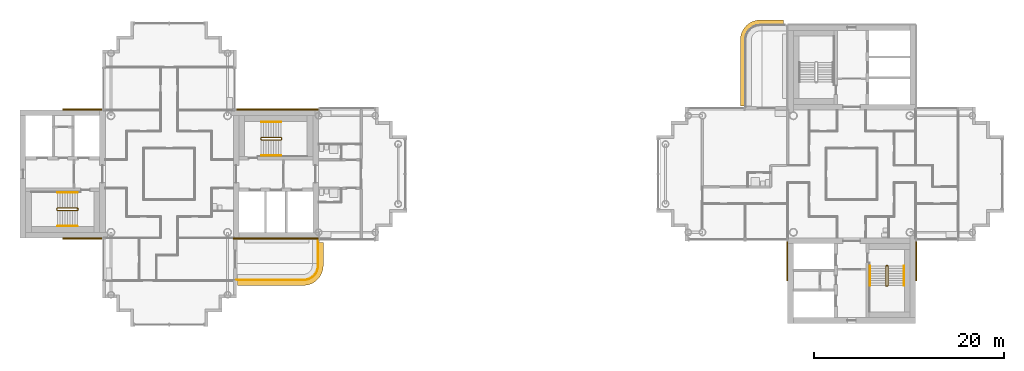
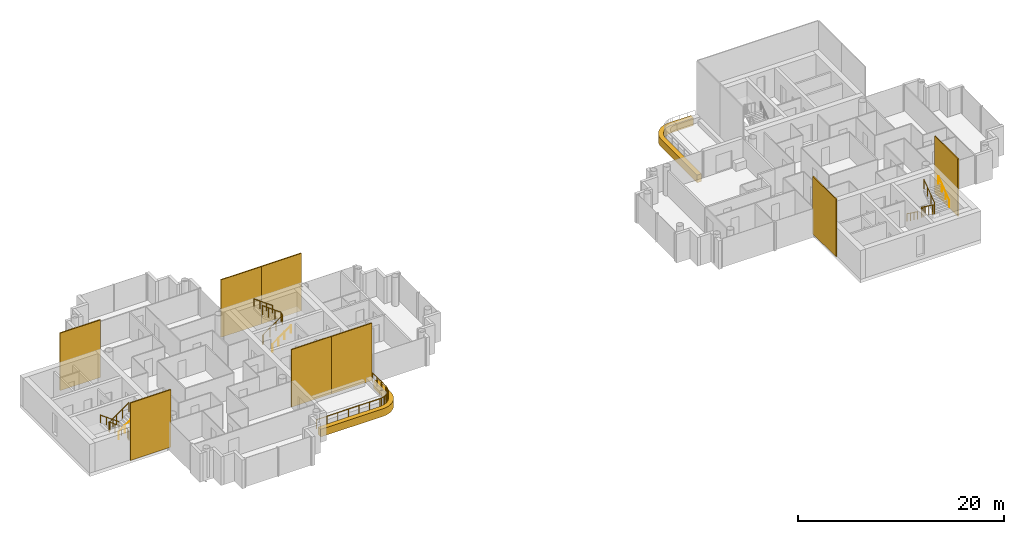
# One storey, part 16 of 18: 10 coverings, 10 railings.
"""IFC4 building model written with IfcOpenShell, lengths in metres."""

import ifcopenshell
import ifcopenshell.guid

model = None  # the IFC model being written
_history = None  # IfcOwnerHistory: only IFC2X3 demands one
_inside = {}  # id of a spatial element -> (the spatial element, [elements in it])
_under = {}  # id of a project, library or spatial element -> (it, [spatial elements below it])
_declared = {}  # id of a project -> (the project, [libraries it declares])
_typed = {}  # id of a type object -> (the type object, [elements of that type])
_made_of = {}  # id of a material, layer set ... -> (it, [elements and type objects made of it])


def new_model(schema):
    """Start an empty IFC model of exactly this schema.

    Asked for "IFC4X3", IfcOpenShell would pick the latest addendum, in which some entities
    have other attributes; the version numbers below select the first issue.
    IFC2X3 requires an IfcOwnerHistory on every rooted entity: one is made here for all.
    """
    global model, _history
    if schema == "IFC4X3":
        model = ifcopenshell.file(schema_version=(4, 3, 0, 0))
    else:
        model = ifcopenshell.file(schema=schema)
    _inside.clear()
    _under.clear()
    _declared.clear()
    _typed.clear()
    _made_of.clear()
    _history = None
    if model.schema == "IFC2X3":
        org = make("IfcOrganization", Name="unknown")
        user = make(
            "IfcPersonAndOrganization",
            ThePerson=make("IfcPerson", FamilyName="unknown"),
            TheOrganization=org,
        )
        app = make(
            "IfcApplication",
            ApplicationDeveloper=org,
            Version="unknown",
            ApplicationFullName="unknown",
            ApplicationIdentifier="unknown",
        )
        _history = make(
            "IfcOwnerHistory",
            OwningUser=user,
            OwningApplication=app,
            ChangeAction="ADDED",
            CreationDate=0,
        )
    return model


def make(cls, **values):
    """One entity of the class cls with the attributes given. An attribute that is None is left unset."""
    return model.create_entity(
        cls, **{name: value for name, value in values.items() if value is not None}
    )


def rooted(cls, **values):
    """An entity with a GlobalId (a new one), such as an element, a storey or a relation."""
    return make(cls, GlobalId=ifcopenshell.guid.new(), OwnerHistory=_history, **values)


def si_unit(unit_type, name, prefix=None):
    """IfcSIUnit, for example si_unit("LENGTHUNIT", "METRE", prefix="MILLI")."""
    return make("IfcSIUnit", UnitType=unit_type, Prefix=prefix, Name=name)


def assignment(units):
    """IfcUnitAssignment: the units of a project."""
    return None if units is None else make("IfcUnitAssignment", Units=units)


def point(xyz):
    """IfcCartesianPoint."""
    return None if xyz is None else make("IfcCartesianPoint", Coordinates=xyz)


def direction(xyz):
    """IfcDirection."""
    return None if xyz is None else make("IfcDirection", DirectionRatios=xyz)


def frame(location, z_axis=None, x_axis=None):
    """IfcAxis2Placement3D, a coordinate frame: its origin and axes. An axis left out is left unset."""
    return make(
        "IfcAxis2Placement3D",
        Location=point(location),
        Axis=direction(z_axis),
        RefDirection=direction(x_axis),
    )


def frame_2d(location, x_axis=None):
    """IfcAxis2Placement2D, a coordinate frame in the plane: its origin and x axis."""
    return make(
        "IfcAxis2Placement2D", Location=point(location), RefDirection=direction(x_axis)
    )


def origin():
    """The frame at (0, 0, 0) with its axes left unset."""
    return frame((0.0, 0.0, 0.0))


def origin_2d():
    """The frame at (0, 0) in the plane with its x axis left unset."""
    return frame_2d((0.0, 0.0))


def place(relative_to, where):
    """IfcLocalPlacement: puts the frame where relative to a parent placement (None: the world)."""
    return make(
        "IfcLocalPlacement", PlacementRelTo=relative_to, RelativePlacement=where
    )


def context(
    kind, dimensions, precision=None, world=None, true_north=None, identifier=None
):
    """IfcGeometricRepresentationContext, for example the 3D "Model" context."""
    return make(
        "IfcGeometricRepresentationContext",
        ContextIdentifier=identifier,
        ContextType=kind,
        CoordinateSpaceDimension=dimensions,
        Precision=precision,
        WorldCoordinateSystem=world,
        TrueNorth=true_north,
    )


def subcontext(parent, identifier, kind, view, scale=None):
    """IfcGeometricRepresentationSubContext, for example "Body" below "Model"."""
    return make(
        "IfcGeometricRepresentationSubContext",
        ContextIdentifier=identifier,
        ContextType=kind,
        ParentContext=parent,
        TargetScale=scale,
        TargetView=view,
    )


def project(units=None, contexts=None):
    """IfcProject with its units and contexts."""
    return rooted(
        "IfcProject",
        Name="project",
        RepresentationContexts=contexts,
        UnitsInContext=assignment(units),
    )


def spatial(cls, under=None, at=None, **own):
    """A site, building, storey or space (cls), placed at a placement, below another one or the project."""
    s = rooted(cls, ObjectPlacement=at, **own)
    if under is not None:
        _under.setdefault(under.id(), (under, []))[1].append(s)
    return s


def polyline(points):
    """IfcPolyline through the points."""
    return make("IfcPolyline", Points=[point(p) for p in points])


def profile(cls, at=None, kind="AREA", **sizes):
    """A parametric profile (cls). Its sizes go by their IFC names, for example OverallWidth=200.0."""
    return make(cls, ProfileType=kind, Position=at, **sizes)


def rectangle(**sizes):
    """IfcRectangleProfileDef."""
    return profile("IfcRectangleProfileDef", **sizes)


def circle(**sizes):
    """IfcCircleProfileDef."""
    return profile("IfcCircleProfileDef", **sizes)


def outline(outer, holes=None, kind="AREA"):
    """IfcArbitraryClosedProfileDef: a profile drawn as a closed curve; with holes, ...WithVoids."""
    if holes is None:
        return make("IfcArbitraryClosedProfileDef", ProfileType=kind, OuterCurve=outer)
    return make(
        "IfcArbitraryProfileDefWithVoids",
        ProfileType=kind,
        OuterCurve=outer,
        InnerCurves=holes,
    )


def extrude(swept, where, along, depth):
    """IfcExtrudedAreaSolid: the profile swept, set in the frame where, extruded along a direction by depth."""
    return make(
        "IfcExtrudedAreaSolid",
        SweptArea=swept,
        Position=where,
        ExtrudedDirection=direction(along),
        Depth=depth,
    )


def shape(context_of_items, identifier, shape_type, items):
    """IfcShapeRepresentation: the items that make up one representation, for example the "Body"."""
    return make(
        "IfcShapeRepresentation",
        ContextOfItems=context_of_items,
        RepresentationIdentifier=identifier,
        RepresentationType=shape_type,
        Items=items,
    )


def material(Name=None, Category=None):
    """IfcMaterial."""
    return make("IfcMaterial", Name=Name, Category=Category)


def layer(
    of_material, thickness, ventilated=None, Name=None, Category=None, Priority=None
):
    """IfcMaterialLayer: one layer of a wall or slab, of a material (None: an air gap)."""
    return make(
        "IfcMaterialLayer",
        Material=of_material,
        LayerThickness=thickness,
        IsVentilated=ventilated,
        Name=Name,
        Category=Category,
        Priority=Priority,
    )


def layer_set(layers, Name=None):
    """IfcMaterialLayerSet."""
    return make("IfcMaterialLayerSet", MaterialLayers=layers, LayerSetName=Name)


def made_of(thing, what):
    """Note that an element or type object is made of a material, layer set ...; save() writes the relation."""
    if what is not None:
        _made_of.setdefault(what.id(), (what, []))[1].append(thing)
    return thing


def type_object(cls, material=None, **own):
    """A type object (cls), such as IfcWallType, which elements share."""
    return made_of(rooted(cls, **own), material)


def element(
    cls,
    number,
    at=None,
    inside=None,
    cuts=None,
    type_object=None,
    material=None,
    context=None,
    identifier="Body",
    shape_type=None,
    held_by="IfcProductDefinitionShape",
    body=None,
    shapes=None,
    **own,
):
    """One element of the class cls, such as IfcWall. Its Tag is "e" and its number.

    at: its placement. inside: the storey or other place that contains it. cuts: it is an
    opening in that element (IfcRelVoidsElement). A single representation is given by context,
    identifier, shape_type and body (its items); several are given by shapes. held_by: the class
    of the entity that holds the representations. save() writes the other relations.
    """
    e = rooted(cls, Tag="e%d" % number, ObjectPlacement=at, **own)
    if body is not None:
        shapes = [shape(context, identifier, shape_type, body)]
    if shapes is not None:
        e.Representation = make(held_by, Representations=shapes)
    if inside is not None:
        _inside.setdefault(inside.id(), (inside, []))[1].append(e)
    if cuts is not None:
        rooted(
            "IfcRelVoidsElement", RelatingBuildingElement=cuts, RelatedOpeningElement=e
        )
    if type_object is not None:
        _typed.setdefault(type_object.id(), (type_object, []))[1].append(e)
    return made_of(e, material)


def aggregate(whole, parts):
    """IfcRelAggregates: a whole, such as a stair, and the parts it consists of."""
    return rooted("IfcRelAggregates", RelatingObject=whole, RelatedObjects=parts)


def save(model, path):
    """Write the relations noted so far, then the file.

    IfcRelAggregates (storeys below a building ...), IfcRelContainedInSpatialStructure (elements
    in a storey), IfcRelDefinesByType, IfcRelAssociatesMaterial and IfcRelDeclares: one each for
    every whole, place, type object, material and project.
    """
    for whole, parts in _under.values():
        aggregate(whole, parts)
    for where, things in _inside.values():
        rooted(
            "IfcRelContainedInSpatialStructure",
            RelatedElements=things,
            RelatingStructure=where,
        )
    for kind, things in _typed.values():
        rooted("IfcRelDefinesByType", RelatedObjects=things, RelatingType=kind)
    for what, things in _made_of.values():
        rooted("IfcRelAssociatesMaterial", RelatedObjects=things, RelatingMaterial=what)
    for by, libraries in _declared.values():
        rooted("IfcRelDeclares", RelatingContext=by, RelatedDefinitions=libraries)
    model.write(path)


model = new_model("IFC4")

# Units and contexts
model_context = context("Model", 3, precision=1e-05, world=origin(), true_north=direction((0.0, 1.0)))
body_context = subcontext(model_context, "Body", "Model", "MODEL_VIEW")
ifc_project = project(units=[si_unit("LENGTHUNIT", "METRE"), si_unit("AREAUNIT", "SQUARE_METRE"), si_unit("VOLUMEUNIT", "CUBIC_METRE"), si_unit("PLANEANGLEUNIT", "RADIAN"), si_unit("MASSUNIT", "GRAM", prefix="KILO")], contexts=[model_context])

# Site, building, storey
site_placement = place(None, origin())
site = spatial("IfcSite", under=ifc_project, at=site_placement, CompositionType="ELEMENT")
building_placement = place(site_placement, origin())
building = spatial("IfcBuilding", under=site, at=building_placement, Name="Ipe Terrace Towers", CompositionType="ELEMENT")
storey_placement = place(building_placement, frame((0.0, 0.0, 226.60009765625)))
storey = spatial("IfcBuildingStorey", under=building, at=storey_placement, Name="L63", CompositionType="ELEMENT", Elevation=226.60009765625)

# Railing
ifc_material_1 = material(Name="Stainless steel S316", Category="steel")
railing_type_1 = type_object("IfcRailingType", Name="GUARD 1100", PredefinedType="BALUSTRADE", material=ifc_material_1)
railing_1_placement = place(storey_placement, frame((-28.929931640625, -11.199951171875, -0.02001953125)))
element("IfcRailing", 1, at=railing_1_placement, inside=storey, type_object=railing_type_1, Name="guard", PredefinedType="BALUSTRADE", context=body_context, shape_type="SweptSolid", body=[
    extrude(circle(Radius=0.02392578125, at=origin_2d()), frame((0.0, 0.0, 1.076171875), z_axis=(1.0, 0.0, 0.0), x_axis=(0.0, 1.0, 0.0)), (0.0, 0.0, 1.0), 7.077880859375),
    extrude(circle(Radius=0.02392578125, at=origin_2d()), frame((7.077880859375, 0.0, 1.076171875), z_axis=(0.997996439513, 0.063270109204, 0.0), x_axis=(-0.063270109204, 0.997996439513, 0.0)), (0.0, 0.0, 1.0), 0.20458984375),
    extrude(circle(Radius=0.02392578125, at=origin_2d()), frame((7.281982421875, 0.012939453125, 1.076171875), z_axis=(0.980348670139, 0.197272615832, 0.0), x_axis=(-0.197272615832, 0.980348670139, 0.0)), (0.0, 0.0, 1.0), 0.202880859375),
    extrude(circle(Radius=0.02392578125, at=origin_2d()), frame((7.48095703125, 0.052978515625, 1.076171875), z_axis=(0.947227229435, 0.320562904618, 0.0), x_axis=(-0.320562904618, 0.947227229435, 0.0)), (0.0, 0.0, 1.0), 0.20263671875),
    extrude(circle(Radius=0.02392578125, at=origin_2d()), frame((7.6728515625, 0.117919921875, 1.076171875), z_axis=(0.896341374877, 0.443364567466, 0.0), x_axis=(-0.443364567466, 0.896341374877, 0.0)), (0.0, 0.0, 1.0), 0.203125),
    extrude(circle(Radius=0.02392578125, at=origin_2d()), frame((7.85498046875, 0.2080078125, 1.076171875), z_axis=(0.833344910936, 0.552753344103, 0.0), x_axis=(-0.552753344103, 0.833344910936, 0.0)), (0.0, 0.0, 1.0), 0.20263671875),
    extrude(circle(Radius=0.02392578125, at=origin_2d()), frame((8.02392578125, 0.320068359375, 1.076171875), z_axis=(0.750856952854, 0.660464863827, 0.0), x_axis=(-0.660464863827, 0.750856952854, 0.0)), (0.0, 0.0, 1.0), 0.20263671875),
    extrude(circle(Radius=0.02392578125, at=origin_2d()), frame((8.176025390625, 0.453857421875, 1.076171875), z_axis=(0.660464863827, 0.750856952854, 0.0), x_axis=(-0.750856952854, 0.660464863827, 0.0)), (0.0, 0.0, 1.0), 0.20263671875),
    extrude(circle(Radius=0.02392578125, at=origin_2d()), frame((8.309814453125, 0.60595703125, 1.076171875), z_axis=(0.552753344103, 0.833344910936, 0.0), x_axis=(-0.833344910936, 0.552753344103, 0.0)), (0.0, 0.0, 1.0), 0.20263671875),
    extrude(circle(Radius=0.02392578125, at=origin_2d()), frame((8.421875, 0.77490234375, 1.076171875), z_axis=(0.443364567466, 0.896341374877, 0.0), x_axis=(-0.896341374877, 0.443364567466, 0.0)), (0.0, 0.0, 1.0), 0.203125),
    extrude(circle(Radius=0.02392578125, at=origin_2d()), frame((8.511962890625, 0.95703125, 1.076171875), z_axis=(0.320562904618, 0.947227229435, 0.0), x_axis=(-0.947227229435, 0.320562904618, 0.0)), (0.0, 0.0, 1.0), 0.20263671875),
    extrude(circle(Radius=0.02392578125, at=origin_2d()), frame((8.576904296875, 1.14892578125, 1.076171875), z_axis=(0.197272615832, 0.980348670139, 0.0), x_axis=(-0.980348670139, 0.197272615832, 0.0)), (0.0, 0.0, 1.0), 0.202880859375),
    extrude(circle(Radius=0.02392578125, at=origin_2d()), frame((8.616943359375, 1.347900390625, 1.076171875), z_axis=(0.063270109204, 0.997996439513, 0.0), x_axis=(-0.997996439513, 0.063270109204, 0.0)), (0.0, 0.0, 1.0), 0.20458984375),
    extrude(circle(Radius=0.02392578125, at=origin_2d()), frame((8.6298828125, 1.552001953125, 1.076171875), z_axis=(0.0, 1.0, 0.0), x_axis=(-1.0, 0.0, 0.0)), (0.0, 0.0, 1.0), 2.577880859375),
    extrude(circle(Radius=0.02099609375, at=origin_2d()), origin(), (0.0, 0.0, 1.0), 1.052001953125),
    extrude(circle(Radius=0.02099609375, at=origin_2d()), frame((1.1796875, 0.0, 0.0)), (0.0, 0.0, 1.0), 1.052001953125),
    extrude(circle(Radius=0.02099609375, at=origin_2d()), frame((2.359375, 0.0, 0.0)), (0.0, 0.0, 1.0), 1.052001953125),
    extrude(circle(Radius=0.02099609375, at=origin_2d()), frame((3.5390625, 0.0, 0.0)), (0.0, 0.0, 1.0), 1.052001953125),
    extrude(circle(Radius=0.02099609375, at=origin_2d()), frame((4.718505859375, 0.0, 0.0)), (0.0, 0.0, 1.0), 1.052001953125),
    extrude(circle(Radius=0.02099609375, at=origin_2d()), frame((5.898193359375, 0.0, 0.0)), (0.0, 0.0, 1.0), 1.052001953125),
    extrude(circle(Radius=0.02099609375, at=origin_2d()), frame((7.077880859375, 0.0, 0.0)), (0.0, 0.0, 1.0), 1.052001953125),
    extrude(circle(Radius=0.02099609375, at=origin_2d()), frame((7.281982421875, 0.012939453125, 0.0)), (0.0, 0.0, 1.0), 1.052001953125),
    extrude(circle(Radius=0.02099609375, at=origin_2d()), frame((7.48095703125, 0.052978515625, 0.0)), (0.0, 0.0, 1.0), 1.052001953125),
    extrude(circle(Radius=0.02099609375, at=origin_2d()), frame((7.6728515625, 0.117919921875, 0.0)), (0.0, 0.0, 1.0), 1.052001953125),
    extrude(circle(Radius=0.02099609375, at=origin_2d()), frame((7.85498046875, 0.2080078125, 0.0)), (0.0, 0.0, 1.0), 1.052001953125),
    extrude(circle(Radius=0.02099609375, at=origin_2d()), frame((8.02392578125, 0.320068359375, 0.0)), (0.0, 0.0, 1.0), 1.052001953125),
    extrude(circle(Radius=0.02099609375, at=origin_2d()), frame((8.176025390625, 0.453857421875, 0.0)), (0.0, 0.0, 1.0), 1.052001953125),
    extrude(circle(Radius=0.02099609375, at=origin_2d()), frame((8.309814453125, 0.60595703125, 0.0)), (0.0, 0.0, 1.0), 1.052001953125),
    extrude(circle(Radius=0.02099609375, at=origin_2d()), frame((8.421875, 0.77490234375, 0.0)), (0.0, 0.0, 1.0), 1.052001953125),
    extrude(circle(Radius=0.02099609375, at=origin_2d()), frame((8.511962890625, 0.95703125, 0.0)), (0.0, 0.0, 1.0), 1.052001953125),
    extrude(circle(Radius=0.02099609375, at=origin_2d()), frame((8.576904296875, 1.14892578125, 0.0)), (0.0, 0.0, 1.0), 1.052001953125),
    extrude(circle(Radius=0.02099609375, at=origin_2d()), frame((8.616943359375, 1.347900390625, 0.0)), (0.0, 0.0, 1.0), 1.052001953125),
    extrude(circle(Radius=0.02099609375, at=origin_2d()), frame((8.6298828125, 1.552001953125, 0.0)), (0.0, 0.0, 1.0), 1.052001953125),
    extrude(circle(Radius=0.02099609375, at=origin_2d()), frame((8.6298828125, 2.411376953125, 0.0)), (0.0, 0.0, 1.0), 1.052001953125),
    extrude(circle(Radius=0.02099609375, at=origin_2d()), frame((8.6298828125, 3.2705078125, 0.0)), (0.0, 0.0, 1.0), 1.052001953125),
    extrude(circle(Radius=0.02099609375, at=origin_2d()), frame((8.6298828125, 4.1298828125, 0.0)), (0.0, 0.0, 1.0), 1.052001953125),
])

# Coverings
ifc_material_2 = material(Name="Concrete C50/60 precast, buff finish", Category="concrete")
ifc_layer_1 = layer(ifc_material_2, 0.1201171875)
ifc_layer_set_1 = layer_set([ifc_layer_1], Name="STONE CORE CLADDING 120")
covering_type_1 = type_object("IfcCoveringType", Name="STONE CORE CLADDING 120", PredefinedType="CLADDING", material=ifc_layer_set_1)
for number, where, z_axis, x_axis, name in (
    (2, (-45.0, -6.81005859375, 0.0), (0.0, 0.0, 1.0), (1.0, 0.0, 0.0), "stone core cladding"),
    (3, (-45.0, 6.81005859375, 0.0), (0.0, 0.0, 1.0), (-1.0, 0.0, 0.0), "stone core cladding"),
    (4, (-27.0, -6.81005859375, 0.0), (0.0, 0.0, 1.0), (1.0, 0.0, 0.0), "stone core cladding"),
):
    element("IfcCovering", number, at=place(storey_placement, frame(where, z_axis=z_axis, x_axis=x_axis)), inside=storey, type_object=covering_type_1, Name=name, PredefinedType="CLADDING", context=body_context, shape_type="SweptSolid", body=[
        extrude(rectangle(XDim=4.5, YDim=0.1201171875, at=origin_2d()), origin(), (0.0, 0.0, 1.0), 6.800048828125),
    ])
covering_1_placement = place(storey_placement, frame((-22.4990234375, -6.81005859375, 0.0), z_axis=(0.0, 0.0, 1.0), x_axis=(1.0, 0.0, 0.0)))
element("IfcCovering", 5, at=covering_1_placement, inside=storey, type_object=covering_type_1, Name="stone core cladding", PredefinedType="CLADDING", context=body_context, shape_type="SweptSolid", body=[
    extrude(rectangle(XDim=4.5009765625, YDim=0.1201171875, at=origin_2d()), origin(), (0.0, 0.0, 1.0), 6.800048828125),
])
covering_2_placement = place(storey_placement, frame((-27.0, 6.81005859375, 0.0), z_axis=(0.0, 0.0, 1.0), x_axis=(-1.0, 0.0, 0.0)))
element("IfcCovering", 6, at=covering_2_placement, inside=storey, type_object=covering_type_1, Name="stone core cladding", PredefinedType="CLADDING", context=body_context, shape_type="SweptSolid", body=[
    extrude(rectangle(XDim=4.5, YDim=0.1201171875, at=origin_2d()), origin(), (0.0, 0.0, 1.0), 6.800048828125),
])
covering_3_placement = place(storey_placement, frame((-22.4990234375, 6.81005859375, 0.0), z_axis=(0.0, 0.0, 1.0), x_axis=(-1.0, 0.0, 0.0)))
element("IfcCovering", 7, at=covering_3_placement, inside=storey, type_object=covering_type_1, Name="stone core cladding", PredefinedType="CLADDING", context=body_context, shape_type="SweptSolid", body=[
    extrude(rectangle(XDim=4.5009765625, YDim=0.1201171875, at=origin_2d()), origin(), (0.0, 0.0, 1.0), 6.800048828125),
])
for number, where, z_axis, x_axis, name in (
    (8, (29.18994140625, -9.0, 0.0), (0.0, 0.0, 1.0), (0.0, -1.0, 0.0), "stone core cladding"),
    (9, (42.81005859375, -9.0, 0.0), (0.0, 0.0, 1.0), (0.0, 1.0, 0.0), "stone core cladding"),
):
    element("IfcCovering", number, at=place(storey_placement, frame(where, z_axis=z_axis, x_axis=x_axis)), inside=storey, type_object=covering_type_1, Name=name, PredefinedType="CLADDING", context=body_context, shape_type="SweptSolid", body=[
        extrude(rectangle(XDim=4.5, YDim=0.1201171875, at=origin_2d()), origin(), (0.0, 0.0, 1.0), 6.800048828125),
    ])
ifc_material_3 = material(Name="Concrete C50/60 precast, buff finish", Category="concrete")
ifc_layer_2 = layer(ifc_material_3, 0.5)
ifc_layer_set_2 = layer_set([ifc_layer_2], Name="STONE EDGE BAND 500 x 900")
covering_type_2 = type_object("IfcCoveringType", Name="STONE EDGE BAND 500 x 900", PredefinedType="CLADDING", material=ifc_layer_set_2)
covering_4_placement = place(storey_placement, frame((0.0, 0.0, -0.72021484375)))
element("IfcCovering", 10, at=covering_4_placement, inside=storey, type_object=covering_type_2, Name="stone edge band", PredefinedType="CLADDING", context=body_context, shape_type="SweptSolid", body=[
    extrude(outline(polyline([(-21.85009765625, -11.75), (-21.81689453125, -11.7490234375), (-21.60791015625, -11.735107421875), (-21.5439453125, -11.72705078125), (-21.337890625, -11.68603515625), (-21.27490234375, -11.6689453125), (-21.076904296875, -11.60205078125), (-21.01708984375, -11.576904296875), (-20.8291015625, -11.48388671875), (-20.77197265625, -11.450927734375), (-20.597900390625, -11.3349609375), (-20.5458984375, -11.294921875), (-20.388916015625, -11.156982421875), (-20.343017578125, -11.111083984375), (-20.205078125, -10.9541015625), (-20.1650390625, -10.902099609375), (-20.049072265625, -10.72802734375), (-20.01611328125, -10.6708984375), (-19.923095703125, -10.48291015625), (-19.89794921875, -10.423095703125), (-19.8310546875, -10.22509765625), (-19.81396484375, -10.162109375), (-19.77294921875, -9.9560546875), (-19.764892578125, -9.89208984375), (-19.7509765625, -9.68310546875), (-19.75, -9.64990234375), (-19.75, -7.199951171875), (-20.25, -7.199951171875), (-20.25, -9.64990234375), (-20.263916015625, -9.85888671875), (-20.304931640625, -10.06396484375), (-20.3720703125, -10.261962890625), (-20.464111328125, -10.449951171875), (-20.5810546875, -10.6240234375), (-20.718994140625, -10.781005859375), (-20.8759765625, -10.9189453125), (-21.050048828125, -11.035888671875), (-21.238037109375, -11.1279296875), (-21.43603515625, -11.195068359375), (-21.64111328125, -11.236083984375), (-21.85009765625, -11.25), (-28.800048828125, -11.25), (-28.800048828125, -11.75), (-21.85009765625, -11.75)])), origin(), (0.0, 0.0, 1.0), 0.900146484375),
])
covering_5_placement = place(storey_placement, frame((0.0, 0.0, -0.72021484375)))
element("IfcCovering", 11, at=covering_5_placement, inside=storey, type_object=covering_type_2, Name="stone edge band", PredefinedType="CLADDING", context=body_context, shape_type="SweptSolid", body=[
    extrude(outline(polyline([(24.25, 14.14990234375), (24.25, 7.199951171875), (24.75, 7.199951171875), (24.75, 14.14990234375), (24.763916015625, 14.35888671875), (24.804931640625, 14.56396484375), (24.8720703125, 14.761962890625), (24.964111328125, 14.949951171875), (25.0810546875, 15.1240234375), (25.218994140625, 15.281005859375), (25.3759765625, 15.4189453125), (25.550048828125, 15.535888671875), (25.738037109375, 15.6279296875), (25.93603515625, 15.695068359375), (26.14111328125, 15.736083984375), (26.35009765625, 15.75), (28.800048828125, 15.75), (28.800048828125, 16.25), (26.35009765625, 16.25), (26.31689453125, 16.2490234375), (26.10791015625, 16.235107421875), (26.0439453125, 16.22705078125), (25.837890625, 16.18603515625), (25.77490234375, 16.1689453125), (25.576904296875, 16.10205078125), (25.51708984375, 16.076904296875), (25.3291015625, 15.98388671875), (25.27197265625, 15.950927734375), (25.097900390625, 15.8349609375), (25.0458984375, 15.794921875), (24.888916015625, 15.656982421875), (24.843017578125, 15.611083984375), (24.705078125, 15.4541015625), (24.6650390625, 15.402099609375), (24.549072265625, 15.22802734375), (24.51611328125, 15.1708984375), (24.423095703125, 14.98291015625), (24.39794921875, 14.923095703125), (24.3310546875, 14.72509765625), (24.31396484375, 14.662109375), (24.27294921875, 14.4560546875), (24.264892578125, 14.39208984375), (24.2509765625, 14.18310546875), (24.25, 14.14990234375)])), origin(), (0.0, 0.0, 1.0), 0.900146484375),
])

# Railings
ifc_material_4 = material(Name="Steel S355", Category="steel")
railing_type_2 = type_object("IfcRailingType", Name="Stair guard 1100", PredefinedType="GUARDRAIL", material=ifc_material_4)
railing_2_placement = place(storey_placement, frame((-26.35009765625, 3.800048828125, 0.0)))
element("IfcRailing", 12, at=railing_2_placement, inside=storey, type_object=railing_type_2, Name="L63 T1-ST1 stair guard 1", PredefinedType="GUARDRAIL", context=body_context, shape_type="SweptSolid", body=[
    extrude(circle(Radius=0.02392578125, at=origin_2d()), frame((0.0, 0.0, 1.076171875), z_axis=(0.0, -1.0, 0.0), x_axis=(1.0, 0.0, 0.0)), (0.0, 0.0, 1.0), 0.150146484375),
    extrude(circle(Radius=0.02392578125, at=origin_2d()), frame((0.0, -0.150146484375, 1.076171875), z_axis=(0.248385422981, -0.247173786771, 0.936594790069), x_axis=(0.705375805398, 0.708833529934, 0.0)), (0.0, 0.0, 1.0), 0.201416015625),
    extrude(circle(Radius=0.02392578125, at=origin_2d()), frame((0.050048828125, -0.199951171875, 1.2646484375), z_axis=(0.809023421508, 0.0, 0.587776406001), x_axis=(0.0, 1.0, 0.0)), (0.0, 0.0, 1.0), 2.571044921875),
    extrude(circle(Radius=0.02392578125, at=origin_2d()), frame((2.130126953125, -0.199951171875, 2.77587890625), z_axis=(0.708833529934, 0.705375805398, 0.0), x_axis=(-0.705375805398, 0.708833529934, 0.0)), (0.0, 0.0, 1.0), 0.070556640625),
    extrude(circle(Radius=0.02392578125, at=origin_2d()), frame((2.18017578125, -0.150146484375, 2.77587890625), z_axis=(0.0, 1.0, 0.0), x_axis=(-1.0, 0.0, 0.0)), (0.0, 0.0, 1.0), 0.150146484375),
    extrude(circle(Radius=0.02392578125, at=origin_2d()), frame((2.18017578125, 0.0, 2.77587890625), z_axis=(-0.248310886586, 0.248310886586, 0.936313733321), x_axis=(-0.707106781187, -0.707106781187, 0.0)), (0.0, 0.0, 1.0), 0.20166015625),
    extrude(circle(Radius=0.02392578125, at=origin_2d()), frame((2.130126953125, 0.050048828125, 2.96484375), z_axis=(-0.809023421508, 0.0, 0.587776406001), x_axis=(0.0, -1.0, 0.0)), (0.0, 0.0, 1.0), 2.571044921875),
    extrude(circle(Radius=0.02099609375, at=origin_2d()), origin(), (0.0, 0.0, 1.0), 1.052001953125),
    extrude(circle(Radius=0.02099609375, at=origin_2d()), frame((0.0, -0.150146484375, 0.0)), (0.0, 0.0, 1.0), 1.052001953125),
    extrude(circle(Radius=0.02099609375, at=origin_2d()), frame((0.050048828125, -0.199951171875, 0.188720703125)), (0.0, 0.0, 1.0), 1.052001953125),
    extrude(circle(Radius=0.02099609375, at=origin_2d()), frame((0.743408203125, -0.199951171875, 0.6923828125)), (0.0, 0.0, 1.0), 1.052001953125),
    extrude(circle(Radius=0.02099609375, at=origin_2d()), frame((1.436767578125, -0.199951171875, 1.1962890625)), (0.0, 0.0, 1.0), 1.052001953125),
    extrude(circle(Radius=0.02099609375, at=origin_2d()), frame((2.130126953125, -0.199951171875, 1.699951171875)), (0.0, 0.0, 1.0), 1.052001953125),
    extrude(circle(Radius=0.02099609375, at=origin_2d()), frame((2.18017578125, -0.150146484375, 1.699951171875)), (0.0, 0.0, 1.0), 1.052001953125),
    extrude(circle(Radius=0.02099609375, at=origin_2d()), frame((2.18017578125, 0.0, 1.699951171875)), (0.0, 0.0, 1.0), 1.052001953125),
    extrude(circle(Radius=0.02099609375, at=origin_2d()), frame((2.130126953125, 0.050048828125, 1.888671875)), (0.0, 0.0, 1.0), 1.052001953125),
    extrude(circle(Radius=0.02099609375, at=origin_2d()), frame((1.436767578125, 0.050048828125, 2.392333984375)), (0.0, 0.0, 1.0), 1.052001953125),
    extrude(circle(Radius=0.02099609375, at=origin_2d()), frame((0.743408203125, 0.050048828125, 2.896240234375)), (0.0, 0.0, 1.0), 1.052001953125),
    extrude(circle(Radius=0.02099609375, at=origin_2d()), frame((0.050048828125, 0.050048828125, 3.39990234375)), (0.0, 0.0, 1.0), 1.052001953125),
])
railing_3_placement = place(storey_placement, frame((-45.64990234375, -3.800048828125, 0.0)))
element("IfcRailing", 13, at=railing_3_placement, inside=storey, type_object=railing_type_2, Name="L63 T1-ST2 stair guard 1", PredefinedType="GUARDRAIL", context=body_context, shape_type="SweptSolid", body=[
    extrude(circle(Radius=0.02392578125, at=origin_2d()), frame((0.0, 0.0, 1.076171875), z_axis=(0.0, 1.0, 0.0), x_axis=(-1.0, 0.0, 0.0)), (0.0, 0.0, 1.0), 0.150146484375),
    extrude(circle(Radius=0.02392578125, at=origin_2d()), frame((0.0, 0.150146484375, 1.076171875), z_axis=(-0.248385422981, 0.247173786771, 0.936594790069), x_axis=(-0.705375805398, -0.708833529934, 0.0)), (0.0, 0.0, 1.0), 0.201416015625),
    extrude(circle(Radius=0.02392578125, at=origin_2d()), frame((-0.050048828125, 0.199951171875, 1.2646484375), z_axis=(-0.809023421508, 0.0, 0.587776406001), x_axis=(0.0, -1.0, 0.0)), (0.0, 0.0, 1.0), 2.571044921875),
    extrude(circle(Radius=0.02392578125, at=origin_2d()), frame((-2.130126953125, 0.199951171875, 2.77587890625), z_axis=(-0.708833529934, -0.705375805398, 0.0), x_axis=(0.705375805398, -0.708833529934, 0.0)), (0.0, 0.0, 1.0), 0.070556640625),
    extrude(circle(Radius=0.02392578125, at=origin_2d()), frame((-2.18017578125, 0.150146484375, 2.77587890625), z_axis=(0.0, -1.0, 0.0), x_axis=(1.0, 0.0, 0.0)), (0.0, 0.0, 1.0), 0.150146484375),
    extrude(circle(Radius=0.02392578125, at=origin_2d()), frame((-2.18017578125, 0.0, 2.77587890625), z_axis=(0.248310886586, -0.248310886586, 0.936313733321), x_axis=(0.707106781187, 0.707106781187, 0.0)), (0.0, 0.0, 1.0), 0.20166015625),
    extrude(circle(Radius=0.02392578125, at=origin_2d()), frame((-2.130126953125, -0.050048828125, 2.96484375), z_axis=(0.809023421508, 0.0, 0.587776406001), x_axis=(0.0, 1.0, 0.0)), (0.0, 0.0, 1.0), 2.571044921875),
    extrude(circle(Radius=0.02099609375, at=origin_2d()), origin(), (0.0, 0.0, 1.0), 1.052001953125),
    extrude(circle(Radius=0.02099609375, at=origin_2d()), frame((0.0, 0.150146484375, 0.0)), (0.0, 0.0, 1.0), 1.052001953125),
    extrude(circle(Radius=0.02099609375, at=origin_2d()), frame((-0.050048828125, 0.199951171875, 0.188720703125)), (0.0, 0.0, 1.0), 1.052001953125),
    extrude(circle(Radius=0.02099609375, at=origin_2d()), frame((-0.743408203125, 0.199951171875, 0.6923828125)), (0.0, 0.0, 1.0), 1.052001953125),
    extrude(circle(Radius=0.02099609375, at=origin_2d()), frame((-1.436767578125, 0.199951171875, 1.1962890625)), (0.0, 0.0, 1.0), 1.052001953125),
    extrude(circle(Radius=0.02099609375, at=origin_2d()), frame((-2.130126953125, 0.199951171875, 1.699951171875)), (0.0, 0.0, 1.0), 1.052001953125),
    extrude(circle(Radius=0.02099609375, at=origin_2d()), frame((-2.18017578125, 0.150146484375, 1.699951171875)), (0.0, 0.0, 1.0), 1.052001953125),
    extrude(circle(Radius=0.02099609375, at=origin_2d()), frame((-2.18017578125, 0.0, 1.699951171875)), (0.0, 0.0, 1.0), 1.052001953125),
    extrude(circle(Radius=0.02099609375, at=origin_2d()), frame((-2.130126953125, -0.050048828125, 1.888671875)), (0.0, 0.0, 1.0), 1.052001953125),
    extrude(circle(Radius=0.02099609375, at=origin_2d()), frame((-1.436767578125, -0.050048828125, 2.392333984375)), (0.0, 0.0, 1.0), 1.052001953125),
    extrude(circle(Radius=0.02099609375, at=origin_2d()), frame((-0.743408203125, -0.050048828125, 2.896240234375)), (0.0, 0.0, 1.0), 1.052001953125),
    extrude(circle(Radius=0.02099609375, at=origin_2d()), frame((-0.050048828125, -0.050048828125, 3.39990234375)), (0.0, 0.0, 1.0), 1.052001953125),
])
railing_4_placement = place(storey_placement, frame((39.800048828125, -9.64990234375, 0.0)))
element("IfcRailing", 14, at=railing_4_placement, inside=storey, type_object=railing_type_2, Name="L63 T2-ST2 stair guard 1", PredefinedType="GUARDRAIL", context=body_context, shape_type="SweptSolid", body=[
    extrude(circle(Radius=0.02392578125, at=origin_2d()), frame((0.0, 0.0, 1.076171875), z_axis=(-1.0, 0.0, 0.0), x_axis=(0.0, -1.0, 0.0)), (0.0, 0.0, 1.0), 0.150146484375),
    extrude(circle(Radius=0.02392578125, at=origin_2d()), frame((-0.150146484375, 0.0, 1.076171875), z_axis=(-0.247173786771, -0.248385422981, 0.936594790069), x_axis=(0.708833529934, -0.705375805398, 0.0)), (0.0, 0.0, 1.0), 0.201416015625),
    extrude(circle(Radius=0.02392578125, at=origin_2d()), frame((-0.199951171875, -0.050048828125, 1.2646484375), z_axis=(0.0, -0.809023421508, 0.587776406001), x_axis=(1.0, 0.0, 0.0)), (0.0, 0.0, 1.0), 2.571044921875),
    extrude(circle(Radius=0.02392578125, at=origin_2d()), frame((-0.199951171875, -2.130126953125, 2.77587890625), z_axis=(0.705375805398, -0.708833529934, 0.0), x_axis=(0.708833529934, 0.705375805398, 0.0)), (0.0, 0.0, 1.0), 0.070556640625),
    extrude(circle(Radius=0.02392578125, at=origin_2d()), frame((-0.150146484375, -2.18017578125, 2.77587890625), z_axis=(1.0, 0.0, 0.0), x_axis=(0.0, 1.0, 0.0)), (0.0, 0.0, 1.0), 0.150146484375),
    extrude(circle(Radius=0.02392578125, at=origin_2d()), frame((0.0, -2.18017578125, 2.77587890625), z_axis=(0.248310886586, 0.248310886586, 0.936313733321), x_axis=(-0.707106781187, 0.707106781187, 0.0)), (0.0, 0.0, 1.0), 0.20166015625),
    extrude(circle(Radius=0.02392578125, at=origin_2d()), frame((0.050048828125, -2.130126953125, 2.96484375), z_axis=(0.0, 0.809023421508, 0.587776406001), x_axis=(-1.0, 0.0, 0.0)), (0.0, 0.0, 1.0), 2.571044921875),
    extrude(circle(Radius=0.02099609375, at=origin_2d()), origin(), (0.0, 0.0, 1.0), 1.052001953125),
    extrude(circle(Radius=0.02099609375, at=origin_2d()), frame((-0.150146484375, 0.0, 0.0)), (0.0, 0.0, 1.0), 1.052001953125),
    extrude(circle(Radius=0.02099609375, at=origin_2d()), frame((-0.199951171875, -0.050048828125, 0.188720703125)), (0.0, 0.0, 1.0), 1.052001953125),
    extrude(circle(Radius=0.02099609375, at=origin_2d()), frame((-0.199951171875, -0.743408203125, 0.6923828125)), (0.0, 0.0, 1.0), 1.052001953125),
    extrude(circle(Radius=0.02099609375, at=origin_2d()), frame((-0.199951171875, -1.436767578125, 1.1962890625)), (0.0, 0.0, 1.0), 1.052001953125),
    extrude(circle(Radius=0.02099609375, at=origin_2d()), frame((-0.199951171875, -2.130126953125, 1.699951171875)), (0.0, 0.0, 1.0), 1.052001953125),
    extrude(circle(Radius=0.02099609375, at=origin_2d()), frame((-0.150146484375, -2.18017578125, 1.699951171875)), (0.0, 0.0, 1.0), 1.052001953125),
    extrude(circle(Radius=0.02099609375, at=origin_2d()), frame((0.0, -2.18017578125, 1.699951171875)), (0.0, 0.0, 1.0), 1.052001953125),
    extrude(circle(Radius=0.02099609375, at=origin_2d()), frame((0.050048828125, -2.130126953125, 1.888671875)), (0.0, 0.0, 1.0), 1.052001953125),
    extrude(circle(Radius=0.02099609375, at=origin_2d()), frame((0.050048828125, -1.436767578125, 2.392333984375)), (0.0, 0.0, 1.0), 1.052001953125),
    extrude(circle(Radius=0.02099609375, at=origin_2d()), frame((0.050048828125, -0.743408203125, 2.896240234375)), (0.0, 0.0, 1.0), 1.052001953125),
    extrude(circle(Radius=0.02099609375, at=origin_2d()), frame((0.050048828125, -0.050048828125, 3.39990234375)), (0.0, 0.0, 1.0), 1.052001953125),
])
ifc_material_5 = material(Name="Stainless steel grade 304", Category="steel")
railing_type_3 = type_object("IfcRailingType", Name="Stair handrail 900", PredefinedType="HANDRAIL", material=ifc_material_5)
railing_5_placement = place(storey_placement, frame((-26.300048828125, 1.949951171875, 0.188720703125)))
element("IfcRailing", 15, at=railing_5_placement, inside=storey, type_object=railing_type_3, Name="L63 T1-ST1 stair handrail 1", PredefinedType="HANDRAIL", context=body_context, shape_type="SweptSolid", body=[
    extrude(circle(Radius=0.02392578125, at=origin_2d()), frame((0.0, 0.0, 0.8759765625), z_axis=(0.809023421508, 0.0, 0.587776406001), x_axis=(0.0, 1.0, 0.0)), (0.0, 0.0, 1.0), 2.571044921875),
    extrude(circle(Radius=0.02099609375, at=origin_2d()), origin(), (0.0, 0.0, 1.0), 0.851806640625),
    extrude(circle(Radius=0.02099609375, at=origin_2d()), frame((0.693359375, 0.0, 0.503662109375)), (0.0, 0.0, 1.0), 0.851806640625),
    extrude(circle(Radius=0.02099609375, at=origin_2d()), frame((1.38671875, 0.0, 1.007568359375)), (0.0, 0.0, 1.0), 0.851806640625),
    extrude(circle(Radius=0.02099609375, at=origin_2d()), frame((2.080078125, 0.0, 1.51123046875)), (0.0, 0.0, 1.0), 0.851806640625),
])
for number, where, name in (
    (16, (-24.219970703125, 5.5, 1.888671875), "L63 T1-ST1 stair handrail 2"),
    (17, (-45.699951171875, -1.949951171875, 0.188720703125), "L63 T1-ST2 stair handrail 1"),
):
    element("IfcRailing", number, at=place(storey_placement, frame(where)), inside=storey, type_object=railing_type_3, Name=name, PredefinedType="HANDRAIL", context=body_context, shape_type="SweptSolid", body=[
        extrude(circle(Radius=0.02392578125, at=origin_2d()), frame((0.0, 0.0, 0.8759765625), z_axis=(-0.809023421508, 0.0, 0.587776406001), x_axis=(0.0, -1.0, 0.0)), (0.0, 0.0, 1.0), 2.571044921875),
        extrude(circle(Radius=0.02099609375, at=origin_2d()), origin(), (0.0, 0.0, 1.0), 0.851806640625),
        extrude(circle(Radius=0.02099609375, at=origin_2d()), frame((-0.693359375, 0.0, 0.503662109375)), (0.0, 0.0, 1.0), 0.851806640625),
        extrude(circle(Radius=0.02099609375, at=origin_2d()), frame((-1.38671875, 0.0, 1.007568359375)), (0.0, 0.0, 1.0), 0.851806640625),
        extrude(circle(Radius=0.02099609375, at=origin_2d()), frame((-2.080078125, 0.0, 1.51123046875)), (0.0, 0.0, 1.0), 0.851806640625),
    ])
railing_6_placement = place(storey_placement, frame((-47.780029296875, -5.5, 1.888671875)))
element("IfcRailing", 18, at=railing_6_placement, inside=storey, type_object=railing_type_3, Name="L63 T1-ST2 stair handrail 2", PredefinedType="HANDRAIL", context=body_context, shape_type="SweptSolid", body=[
    extrude(circle(Radius=0.02392578125, at=origin_2d()), frame((0.0, 0.0, 0.8759765625), z_axis=(0.809023421508, 0.0, 0.587776406001), x_axis=(0.0, 1.0, 0.0)), (0.0, 0.0, 1.0), 2.571044921875),
    extrude(circle(Radius=0.02099609375, at=origin_2d()), origin(), (0.0, 0.0, 1.0), 0.851806640625),
    extrude(circle(Radius=0.02099609375, at=origin_2d()), frame((0.693359375, 0.0, 0.503662109375)), (0.0, 0.0, 1.0), 0.851806640625),
    extrude(circle(Radius=0.02099609375, at=origin_2d()), frame((1.38671875, 0.0, 1.007568359375)), (0.0, 0.0, 1.0), 0.851806640625),
    extrude(circle(Radius=0.02099609375, at=origin_2d()), frame((2.080078125, 0.0, 1.51123046875)), (0.0, 0.0, 1.0), 0.851806640625),
])
railing_7_placement = place(storey_placement, frame((37.949951171875, -9.699951171875, 0.188720703125)))
element("IfcRailing", 19, at=railing_7_placement, inside=storey, type_object=railing_type_3, Name="L63 T2-ST2 stair handrail 1", PredefinedType="HANDRAIL", context=body_context, shape_type="SweptSolid", body=[
    extrude(circle(Radius=0.02392578125, at=origin_2d()), frame((0.0, 0.0, 0.8759765625), z_axis=(0.0, -0.809023421508, 0.587776406001), x_axis=(1.0, 0.0, 0.0)), (0.0, 0.0, 1.0), 2.571044921875),
    extrude(circle(Radius=0.02099609375, at=origin_2d()), origin(), (0.0, 0.0, 1.0), 0.851806640625),
    extrude(circle(Radius=0.02099609375, at=origin_2d()), frame((0.0, -0.693359375, 0.503662109375)), (0.0, 0.0, 1.0), 0.851806640625),
    extrude(circle(Radius=0.02099609375, at=origin_2d()), frame((0.0, -1.38671875, 1.007568359375)), (0.0, 0.0, 1.0), 0.851806640625),
    extrude(circle(Radius=0.02099609375, at=origin_2d()), frame((0.0, -2.080078125, 1.51123046875)), (0.0, 0.0, 1.0), 0.851806640625),
])
railing_8_placement = place(storey_placement, frame((41.5, -11.780029296875, 1.888671875)))
element("IfcRailing", 20, at=railing_8_placement, inside=storey, type_object=railing_type_3, Name="L63 T2-ST2 stair handrail 2", PredefinedType="HANDRAIL", context=body_context, shape_type="SweptSolid", body=[
    extrude(circle(Radius=0.02392578125, at=origin_2d()), frame((0.0, 0.0, 0.8759765625), z_axis=(0.0, 0.809023421508, 0.587776406001), x_axis=(-1.0, 0.0, 0.0)), (0.0, 0.0, 1.0), 2.571044921875),
    extrude(circle(Radius=0.02099609375, at=origin_2d()), origin(), (0.0, 0.0, 1.0), 0.851806640625),
    extrude(circle(Radius=0.02099609375, at=origin_2d()), frame((0.0, 0.693359375, 0.503662109375)), (0.0, 0.0, 1.0), 0.851806640625),
    extrude(circle(Radius=0.02099609375, at=origin_2d()), frame((0.0, 1.38671875, 1.007568359375)), (0.0, 0.0, 1.0), 0.851806640625),
    extrude(circle(Radius=0.02099609375, at=origin_2d()), frame((0.0, 2.080078125, 1.51123046875)), (0.0, 0.0, 1.0), 0.851806640625),
])

save(model, "model.ifc")
